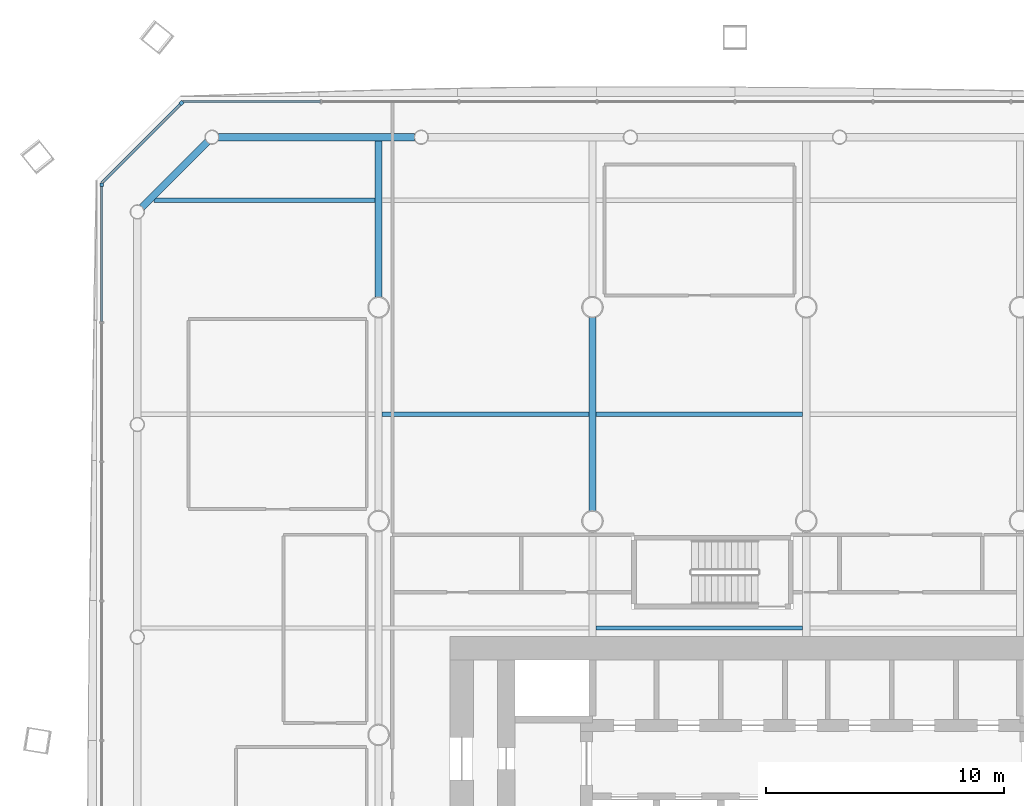
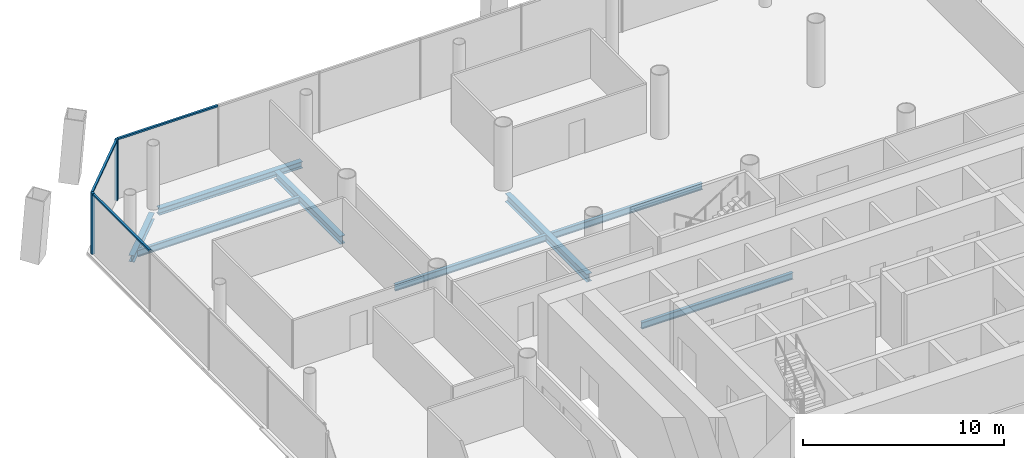
# One storey, part 8 of 21: 8 beams, 5 members, 3 elements without a shape of their own.
"""IFC4 building model written with IfcOpenShell, lengths in metres."""

from ifc_helpers import new_model, si_unit, direction, frame, origin, origin_2d, place, context, subcontext, project, spatial, rectangle, i_section, extrude, material, material_profile, profile_set, type_object, element, aggregate, save


model = new_model("IFC4")

# Units and contexts
model_context = context("Model", 3, precision=1e-05, world=origin(), true_north=direction((0.0, 1.0)))
body_context = subcontext(model_context, "Body", "Model", "MODEL_VIEW")
ifc_project = project(units=[si_unit("LENGTHUNIT", "METRE"), si_unit("AREAUNIT", "SQUARE_METRE"), si_unit("VOLUMEUNIT", "CUBIC_METRE"), si_unit("PLANEANGLEUNIT", "RADIAN"), si_unit("MASSUNIT", "GRAM", prefix="KILO")], contexts=[model_context])

# Site, building, storey
site_placement = place(None, origin())
site = spatial("IfcSite", under=ifc_project, at=site_placement, CompositionType="ELEMENT")
building_placement = place(site_placement, origin())
building = spatial("IfcBuilding", under=site, at=building_placement, Name="Tskaro Facet Tower", CompositionType="ELEMENT")
storey_placement = place(building_placement, frame((0.0, 0.0, 42.0)))
storey = spatial("IfcBuildingStorey", under=building, at=storey_placement, Name="L09", CompositionType="ELEMENT", Elevation=42.0)

# Curtain wall, member
ifc_material_1 = material(Name="Bronze anodised aluminium 6063-T6", Category="aluminium")
curtain_wall_type = type_object("IfcCurtainWallType", Name="Bronze office curtain wall (FW1)", PredefinedType="NOTDEFINED", material=ifc_material_1)
curtain_wall_1_placement = place(storey_placement, origin())
curtain_wall_1 = element("IfcCurtainWall", 1, at=curtain_wall_1_placement, inside=storey, type_object=curtain_wall_type, Name="FW1 north-west facet L09", PredefinedType="NOTDEFINED")
ifc_material_profile_1 = material_profile(ifc_material_1, rectangle(XDim=0.159912109375, YDim=0.159912109375, at=origin_2d()), Name="Corner post 160x160")
ifc_profile_set_1 = profile_set([ifc_material_profile_1], Name="Bronze anodised aluminium 6063-T6")
member_type_1 = type_object("IfcMemberType", Name="FW1 bronze corner post 160x160", PredefinedType="MULLION", material=ifc_profile_set_1)
member_1_placement = place(storey_placement, frame((-26.29150390625, 26.597412109375, 0.0), z_axis=(0.0, 0.0, 1.0), x_axis=(-0.707106781187, -0.707106781187, 0.0)))
member_1 = element("IfcMember", 2, at=member_1_placement, type_object=member_type_1, Name="FW1 north-west corner post", PredefinedType="MULLION", context=body_context, shape_type="SweptSolid", body=[
    extrude(rectangle(XDim=0.159912109375, YDim=0.159912109375, at=origin_2d()), origin(), (0.0, 0.0, 1.0), 3.699951171875),
])

curtain_wall_2_placement = place(storey_placement, origin())
curtain_wall_2 = element("IfcCurtainWall", 3, at=curtain_wall_2_placement, inside=storey, type_object=curtain_wall_type, Name="FW1 west facet L09", PredefinedType="NOTDEFINED")
member_2_placement = place(storey_placement, frame((-29.654052734375, 23.155029296875, 0.0), z_axis=(0.0, 0.0, 1.0), x_axis=(0.0, -1.0, 0.0)))
member_2 = element("IfcMember", 4, at=member_2_placement, type_object=member_type_1, Name="FW1 west corner post", PredefinedType="MULLION", context=body_context, shape_type="SweptSolid", body=[
    extrude(rectangle(XDim=0.159912109375, YDim=0.159912109375, at=origin_2d()), origin(), (0.0, 0.0, 1.0), 3.699951171875),
])

curtain_wall_3_placement = place(storey_placement, origin())
curtain_wall_3 = element("IfcCurtainWall", 5, at=curtain_wall_3_placement, inside=storey, type_object=curtain_wall_type, Name="FW1 north facet L09", PredefinedType="NOTDEFINED")
ifc_material_profile_2 = material_profile(ifc_material_1, rectangle(XDim=0.1201171875, YDim=0.10009765625, at=origin_2d()), Name="Transom 120x100")
ifc_profile_set_2 = profile_set([ifc_material_profile_2], Name="Bronze anodised aluminium 6063-T6")
member_type_2 = type_object("IfcMemberType", Name="FW1 bronze transom 120x100", PredefinedType="USERDEFINED", material=ifc_profile_set_2)
member_3_placement = place(storey_placement, frame((-20.456298828125, 26.654052734375, 3.64990234375), z_axis=(-1.0, 0.0, 0.0), x_axis=(0.0, -1.0, 0.0)))
member_3 = element("IfcMember", 6, at=member_3_placement, type_object=member_type_2, Name="FW1 north transom 8.1", ObjectType="TRANSOM", PredefinedType="USERDEFINED", context=body_context, shape_type="SweptSolid", body=[
    extrude(rectangle(XDim=0.1201171875, YDim=0.10009765625, at=origin_2d()), origin(), (0.0, 0.0, 1.0), 5.77880859375),
])
aggregate(curtain_wall_3, [member_3])

# Member
member_4_placement = place(storey_placement, frame((-26.34814453125, 26.540771484375, 3.64990234375), z_axis=(-0.707132891512, -0.707080669897, 0.0), x_axis=(0.707080669897, -0.707132891512, 0.0)))
member_4 = element("IfcMember", 7, at=member_4_placement, type_object=member_type_2, Name="FW1 north-west transom 1.1", ObjectType="TRANSOM", PredefinedType="USERDEFINED", context=body_context, shape_type="SweptSolid", body=[
    extrude(rectangle(XDim=0.1201171875, YDim=0.10009765625, at=origin_2d()), origin(), (0.0, 0.0, 1.0), 4.675048828125),
])

aggregate(curtain_wall_1, [member_1, member_4])

member_5_placement = place(storey_placement, frame((-29.654052734375, 23.074951171875, 3.64990234375), z_axis=(0.0, -1.0, 0.0), x_axis=(1.0, 0.0, 0.0)))
member_5 = element("IfcMember", 8, at=member_5_placement, type_object=member_type_2, Name="FW1 west transom 1.1", ObjectType="TRANSOM", PredefinedType="USERDEFINED", context=body_context, shape_type="SweptSolid", body=[
    extrude(rectangle(XDim=0.1201171875, YDim=0.10009765625, at=origin_2d()), origin(), (0.0, 0.0, 1.0), 5.678466796875),
])

aggregate(curtain_wall_2, [member_2, member_5])

# Beams
ifc_material_2 = material(Name="Steel S355J2", Category="steel")
ifc_material_profile_3 = material_profile(ifc_material_2, i_section(OverallWidth=0.300048828125, OverallDepth=0.39990234375, WebThickness=0.013427734375, FlangeThickness=0.02392578125, FilletRadius=0.027099609375, at=origin_2d()), Name="HE 400 B")
ifc_profile_set_3 = profile_set([ifc_material_profile_3], Name="Steel S355J2")
beam_type_1 = type_object("IfcBeamType", Name="HE 400 B ring beam", PredefinedType="BEAM", material=ifc_profile_set_3)
beam_1_placement = place(storey_placement, frame((-16.48193359375, 25.156982421875, -0.340087890625), z_axis=(-1.0, 0.0, 0.0), x_axis=(0.0, -1.0, 0.0)))
element("IfcBeam", 9, at=beam_1_placement, inside=storey, type_object=beam_type_1, Name="HE 400 B EB18-1", PredefinedType="BEAM", context=body_context, shape_type="SweptSolid", body=[
    extrude(i_section(OverallWidth=0.300048828125, OverallDepth=0.39990234375, WebThickness=0.013427734375, FlangeThickness=0.02392578125, FilletRadius=0.027099609375, at=origin_2d()), origin(), (0.0, 0.0, 1.0), 8.255126953125),
])
beam_2_placement = place(storey_placement, frame((-25.20654296875, 24.962646484375, -0.340087890625), z_axis=(-0.707106781187, -0.707106781187, 0.0), x_axis=(0.707106781187, -0.707106781187, 0.0)))
element("IfcBeam", 10, at=beam_2_placement, inside=storey, type_object=beam_type_1, Name="HE 400 B EB19-1", PredefinedType="BEAM", context=body_context, shape_type="SweptSolid", body=[
    extrude(i_section(OverallWidth=0.300048828125, OverallDepth=0.39990234375, WebThickness=0.013427734375, FlangeThickness=0.02392578125, FilletRadius=0.027099609375, at=origin_2d()), origin(), (0.0, 0.0, 1.0), 3.897705078125),
])
ifc_material_profile_4 = material_profile(ifc_material_2, i_section(OverallWidth=0.300048828125, OverallDepth=0.489990234375, WebThickness=0.011962890625, FlangeThickness=0.02294921875, FilletRadius=0.027099609375, at=origin_2d()), Name="HE 500 A")
ifc_profile_set_4 = profile_set([ifc_material_profile_4], Name="Steel S355J2")
beam_type_2 = type_object("IfcBeamType", Name="HE 500 A girder", PredefinedType="BEAM", material=ifc_profile_set_4)
beam_3_placement = place(storey_placement, frame((-18.0, 18.42724609375, -0.385009765625), z_axis=(0.0, 1.0, 0.0), x_axis=(-1.0, 0.0, 0.0)))
element("IfcBeam", 11, at=beam_3_placement, inside=storey, type_object=beam_type_2, Name="HE 500 A GB2-6-1", PredefinedType="BEAM", context=body_context, shape_type="SweptSolid", body=[
    extrude(i_section(OverallWidth=0.300048828125, OverallDepth=0.489990234375, WebThickness=0.011962890625, FlangeThickness=0.02294921875, FilletRadius=0.027099609375, at=origin_2d()), origin(), (0.0, 0.0, 1.0), 6.579833984375),
])
beam_4_placement = place(storey_placement, frame((-9.0, 9.42724609375, -0.385009765625), z_axis=(0.0, 1.0, 0.0), x_axis=(-1.0, 0.0, 0.0)))
element("IfcBeam", 12, at=beam_4_placement, inside=storey, type_object=beam_type_2, Name="HE 500 A GB3-4-1", PredefinedType="BEAM", context=body_context, shape_type="SweptSolid", body=[
    extrude(i_section(OverallWidth=0.300048828125, OverallDepth=0.489990234375, WebThickness=0.011962890625, FlangeThickness=0.02294921875, FilletRadius=0.027099609375, at=origin_2d()), origin(), (0.0, 0.0, 1.0), 8.1455078125),
])
ifc_material_profile_5 = material_profile(ifc_material_2, i_section(OverallWidth=0.179931640625, OverallDepth=0.39990234375, WebThickness=0.008544921875, FlangeThickness=0.013427734375, FilletRadius=0.02099609375, at=origin_2d()), Name="IPE 400")
ifc_profile_set_5 = profile_set([ifc_material_profile_5], Name="Steel S355J2")
beam_type_3 = type_object("IfcBeamType", Name="IPE 400 secondary beam", PredefinedType="BEAM", material=ifc_profile_set_5)
for number, where, z_axis, x_axis, name in (
    (13, (-8.85009765625, 4.5, -0.340087890625), (1.0, 0.0, 0.0), (0.0, 1.0, 0.0), "IPE 400 SB4a-3-1"),
    (14, (-17.85009765625, 13.5, -0.340087890625), (1.0, 0.0, 0.0), (0.0, 1.0, 0.0), "IPE 400 SB5a-2-1"),
    (15, (-8.85009765625, 13.5, -0.340087890625), (1.0, 0.0, 0.0), (0.0, 1.0, 0.0), "IPE 400 SB5a-3-1"),
):
    element("IfcBeam", number, at=place(storey_placement, frame(where, z_axis=z_axis, x_axis=x_axis)), inside=storey, type_object=beam_type_3, Name=name, PredefinedType="BEAM", context=body_context, shape_type="SweptSolid", body=[
        extrude(i_section(OverallWidth=0.179931640625, OverallDepth=0.39990234375, WebThickness=0.008544921875, FlangeThickness=0.013427734375, FilletRadius=0.02099609375, at=origin_2d()), origin(), (0.0, 0.0, 1.0), 8.7001953125),
    ])
beam_5_placement = place(storey_placement, frame((-27.45703125, 22.5, -0.340087890625), z_axis=(1.0, 0.0, 0.0), x_axis=(0.0, 1.0, 0.0)))
element("IfcBeam", 16, at=beam_5_placement, inside=storey, type_object=beam_type_3, Name="IPE 400 SB6a-1-1", PredefinedType="BEAM", context=body_context, shape_type="SweptSolid", body=[
    extrude(i_section(OverallWidth=0.179931640625, OverallDepth=0.39990234375, WebThickness=0.008544921875, FlangeThickness=0.013427734375, FilletRadius=0.02099609375, at=origin_2d()), origin(), (0.0, 0.0, 1.0), 9.30712890625),
])

save(model, "model.ifc")
